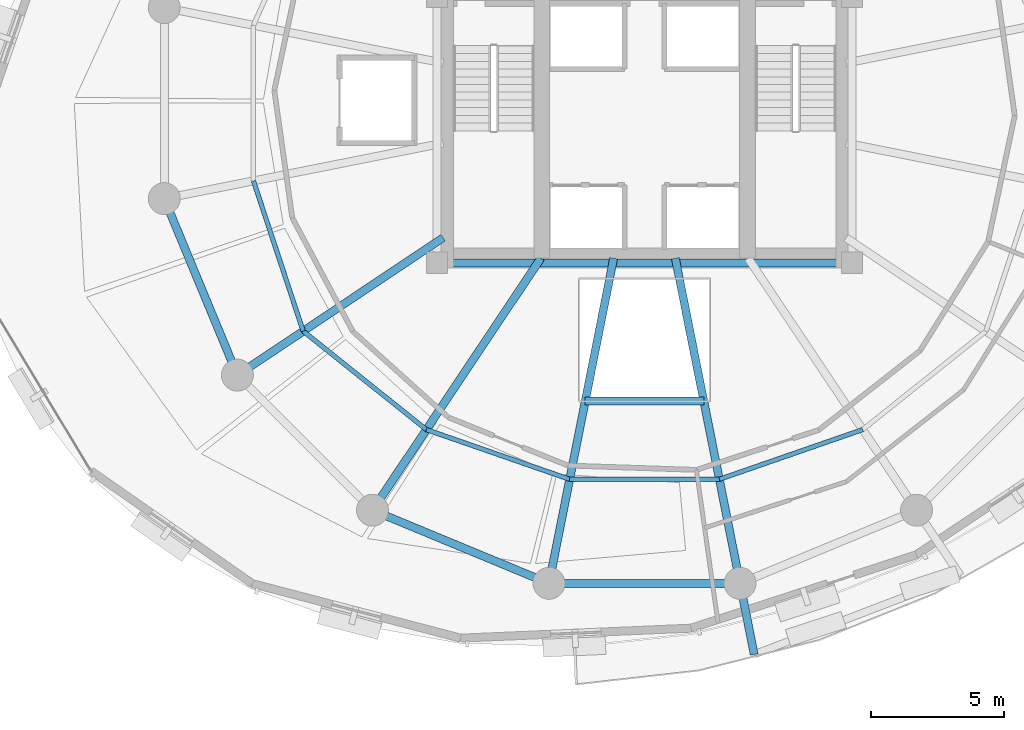
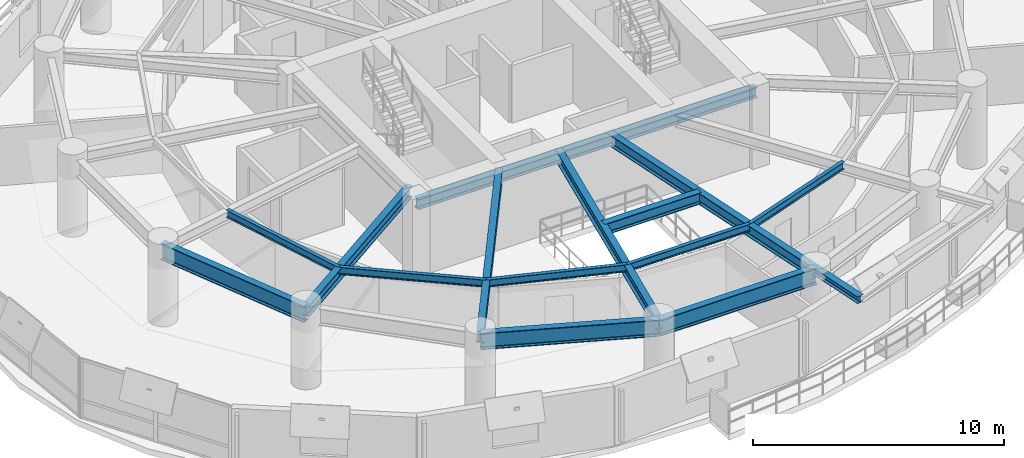
# One storey, part 3 of 15: 15 beams.
"""IFC4 building model written with IfcOpenShell, lengths in metres."""

from ifc_helpers import new_model, si_unit, direction, frame, origin, origin_2d, place, context, subcontext, project, spatial, i_section, extrude, material, material_profile, profile_set, type_object, element, save


model = new_model("IFC4")

# Units and contexts
model_context = context("Model", 3, precision=1e-05, world=origin(), true_north=direction((0.0, 1.0)))
body_context = subcontext(model_context, "Body", "Model", "MODEL_VIEW")
ifc_project = project(units=[si_unit("LENGTHUNIT", "METRE"), si_unit("AREAUNIT", "SQUARE_METRE"), si_unit("VOLUMEUNIT", "CUBIC_METRE"), si_unit("PLANEANGLEUNIT", "RADIAN"), si_unit("MASSUNIT", "GRAM", prefix="KILO"), si_unit("THERMODYNAMICTEMPERATUREUNIT", "KELVIN"), si_unit("POWERUNIT", "WATT")], contexts=[model_context])

# Site, building, storey
site_placement = place(None, origin())
site = spatial("IfcSite", under=ifc_project, at=site_placement, CompositionType="ELEMENT")
building_placement = place(site_placement, origin())
building = spatial("IfcBuilding", under=site, at=building_placement, Name="Ocrelia Relay Tower", CompositionType="ELEMENT")
storey_placement = place(building_placement, frame((0.0, 0.0, 109.800048828125)))
storey = spatial("IfcBuildingStorey", under=building, at=storey_placement, Name="L25", CompositionType="ELEMENT", Elevation=109.800048828125)

# Beams
ifc_material = material(Name="Steel S355", Category="steel")
ifc_material_profile_1 = material_profile(ifc_material, i_section(OverallWidth=0.300048828125, OverallDepth=0.330078125, WebThickness=0.009521484375, FlangeThickness=0.0166015625, FilletRadius=0.027099609375, at=origin_2d()), Name="HEA 340")
ifc_profile_set_1 = profile_set([ifc_material_profile_1], Name="Steel S355")
beam_type_1 = type_object("IfcBeamType", Name="BM-HEA340", PredefinedType="BEAM", material=ifc_profile_set_1)
beam_1_placement = place(storey_placement, frame((37.589599609375, 7.95361328125, 3.554931640625), z_axis=(0.195133957633, -0.98077659973, 0.0), x_axis=(0.98077659973, 0.195133957633, 0.0)))
element("IfcBeam", 1, at=beam_1_placement, inside=storey, type_object=beam_type_1, Name="L26 Balcony Cantilever Beam B2-1", PredefinedType="BEAM", context=body_context, shape_type="SweptSolid", body=[
    extrude(i_section(OverallWidth=0.300048828125, OverallDepth=0.330078125, WebThickness=0.009521484375, FlangeThickness=0.0166015625, FilletRadius=0.027099609375, at=origin_2d()), origin(), (0.0, 0.0, 1.0), 2.72509765625),
])
ifc_material_profile_2 = material_profile(ifc_material, i_section(OverallWidth=0.300048828125, OverallDepth=0.5, WebThickness=0.014404296875, FlangeThickness=0.028076171875, FilletRadius=0.027099609375, at=origin_2d()), Name="HEB 500")
ifc_profile_set_2 = profile_set([ifc_material_profile_2], Name="Steel S355")
beam_type_2 = type_object("IfcBeamType", Name="BM-HEB500", PredefinedType="BEAM", material=ifc_profile_set_2)
beam_2_placement = place(storey_placement, frame((26.199951171875, 20.0, 3.469970703125), z_axis=(1.0, 0.0, 0.0), x_axis=(0.0, 1.0, 0.0)))
element("IfcBeam", 2, at=beam_2_placement, inside=storey, type_object=beam_type_2, Name="L25 Core Pilaster Tie Beam S", PredefinedType="BEAM", context=body_context, shape_type="SweptSolid", body=[
    extrude(i_section(OverallWidth=0.300048828125, OverallDepth=0.5, WebThickness=0.014404296875, FlangeThickness=0.028076171875, FilletRadius=0.027099609375, at=origin_2d()), origin(), (0.0, 0.0, 1.0), 15.60009765625),
])
ifc_material_profile_3 = material_profile(ifc_material, i_section(OverallWidth=0.300048828125, OverallDepth=0.550048828125, WebThickness=0.014892578125, FlangeThickness=0.029052734375, FilletRadius=0.027099609375, at=origin_2d()), Name="HEB 550")
ifc_profile_set_3 = profile_set([ifc_material_profile_3], Name="Steel S355")
beam_type_3 = type_object("IfcBeamType", Name="BM-HEB550", PredefinedType="BEAM", material=ifc_profile_set_3)
beam_3_placement = place(storey_placement, frame((18.700927734375, 15.777587890625, 3.445068359375), z_axis=(0.831472030531, 0.555566613868, 0.0), x_axis=(-0.555566613868, 0.831472030531, 0.0)))
element("IfcBeam", 3, at=beam_3_placement, inside=storey, type_object=beam_type_3, Name="L25 Radial Floor Girder R10", PredefinedType="BEAM", context=body_context, shape_type="SweptSolid", body=[
    extrude(i_section(OverallWidth=0.300048828125, OverallDepth=0.550048828125, WebThickness=0.014892578125, FlangeThickness=0.029052734375, FilletRadius=0.027099609375, at=origin_2d()), origin(), (0.0, 0.0, 1.0), 9.295654296875),
])
beam_4_placement = place(storey_placement, frame((23.777587890625, 10.700927734375, 3.445068359375), z_axis=(0.555565661158, 0.831472667105, 0.0), x_axis=(-0.831472667105, 0.555565661158, 0.0)))
element("IfcBeam", 4, at=beam_4_placement, inside=storey, type_object=beam_type_3, Name="L25 Radial Floor Girder R11", PredefinedType="BEAM", context=body_context, shape_type="SweptSolid", body=[
    extrude(i_section(OverallWidth=0.300048828125, OverallDepth=0.550048828125, WebThickness=0.014892578125, FlangeThickness=0.029052734375, FilletRadius=0.027099609375, at=origin_2d()), origin(), (0.0, 0.0, 1.0), 11.38818359375),
])
for number, where, z_axis, x_axis, name in (
    (5, (30.410400390625, 7.95361328125, 3.445068359375), (0.195086983979, 0.980785944374, 0.0), (-0.980785944374, 0.195086983979, 0.0), "L25 Radial Floor Girder R12"),
    (6, (37.589599609375, 7.95361328125, 3.445068359375), (-0.195086983979, 0.980785944374, 0.0), (-0.980785944374, -0.195086983979, 0.0), "L25 Radial Floor Girder R13"),
):
    element("IfcBeam", number, at=place(storey_placement, frame(where, z_axis=z_axis, x_axis=x_axis)), inside=storey, type_object=beam_type_3, Name=name, PredefinedType="BEAM", context=body_context, shape_type="SweptSolid", body=[
        extrude(i_section(OverallWidth=0.300048828125, OverallDepth=0.550048828125, WebThickness=0.014892578125, FlangeThickness=0.029052734375, FilletRadius=0.027099609375, at=origin_2d()), origin(), (0.0, 0.0, 1.0), 12.45556640625),
    ])
beam_5_placement = place(storey_placement, frame((31.772216796875, 14.800048828125, 3.445068359375), z_axis=(1.0, 0.0, 0.0), x_axis=(0.0, 1.0, 0.0)))
element("IfcBeam", 7, at=beam_5_placement, inside=storey, type_object=beam_type_3, Name="L25 Atrium South Trimmer Beam", PredefinedType="BEAM", context=body_context, shape_type="SweptSolid", body=[
    extrude(i_section(OverallWidth=0.300048828125, OverallDepth=0.550048828125, WebThickness=0.014892578125, FlangeThickness=0.029052734375, FilletRadius=0.027099609375, at=origin_2d()), origin(), (0.0, 0.0, 1.0), 4.45556640625),
])
ifc_material_profile_4 = material_profile(ifc_material, i_section(OverallWidth=0.300048828125, OverallDepth=0.800048828125, WebThickness=0.017578125, FlangeThickness=0.032958984375, FilletRadius=0.030029296875, at=origin_2d()), Name="HEB 800")
ifc_profile_set_4 = profile_set([ifc_material_profile_4], Name="Steel S355")
beam_type_4 = type_object("IfcBeamType", Name="BM-HEB800", PredefinedType="BEAM", material=ifc_profile_set_4)
for number, where, z_axis, x_axis, name in (
    (8, (15.95361328125, 22.410400390625, 3.320068359375), (0.382673155247, -0.923883789366, 0.0), (0.923883789366, 0.382673155247, 0.0), "L25 Perimeter Spandrel Beam S09"),
    (9, (23.777587890625, 10.700927734375, 3.320068359375), (0.923883789366, -0.382673155247, 0.0), (0.382673155247, 0.923883789366, 0.0), "L25 Perimeter Spandrel Beam S11"),
    (10, (30.410400390625, 7.95361328125, 3.320068359375), (1.0, 0.0, 0.0), (0.0, 1.0, 0.0), "L25 Perimeter Spandrel Beam S12"),
):
    element("IfcBeam", number, at=place(storey_placement, frame(where, z_axis=z_axis, x_axis=x_axis)), inside=storey, type_object=beam_type_4, Name=name, PredefinedType="BEAM", context=body_context, shape_type="SweptSolid", body=[
        extrude(i_section(OverallWidth=0.300048828125, OverallDepth=0.800048828125, WebThickness=0.017578125, FlangeThickness=0.032958984375, FilletRadius=0.030029296875, at=origin_2d()), origin(), (0.0, 0.0, 1.0), 7.17919921875),
    ])
ifc_material_profile_5 = material_profile(ifc_material, i_section(OverallWidth=0.169921875, OverallDepth=0.360107421875, WebThickness=0.008056640625, FlangeThickness=0.0126953125, FilletRadius=0.01806640625, at=origin_2d()), Name="IPE 360")
ifc_profile_set_5 = profile_set([ifc_material_profile_5], Name="Steel S355")
beam_type_5 = type_object("IfcBeamType", Name="BM-IPE360", PredefinedType="JOIST", material=ifc_profile_set_5)
beam_6_placement = place(storey_placement, frame((19.305908203125, 23.0771484375, 3.5400390625), z_axis=(0.314121352003, -0.949382839647, 0.0), x_axis=(0.949382839647, 0.314121352003, 0.0)))
element("IfcBeam", 11, at=beam_6_placement, inside=storey, type_object=beam_type_5, Name="L25 Secondary Floor Joist J09", PredefinedType="JOIST", context=body_context, shape_type="SweptSolid", body=[
    extrude(i_section(OverallWidth=0.169921875, OverallDepth=0.360107421875, WebThickness=0.008056640625, FlangeThickness=0.0126953125, FilletRadius=0.01806640625, at=origin_2d()), origin(), (0.0, 0.0, 1.0), 5.947998046875),
])
beam_7_placement = place(storey_placement, frame((21.17431640625, 17.43017578125, 3.5400390625), z_axis=(0.781130070991, -0.62436833055, 0.0), x_axis=(0.62436833055, 0.781130070991, 0.0)))
element("IfcBeam", 12, at=beam_7_placement, inside=storey, type_object=beam_type_5, Name="L25 Secondary Floor Joist J10", PredefinedType="JOIST", context=body_context, shape_type="SweptSolid", body=[
    extrude(i_section(OverallWidth=0.169921875, OverallDepth=0.360107421875, WebThickness=0.008056640625, FlangeThickness=0.0126953125, FilletRadius=0.01806640625, at=origin_2d()), origin(), (0.0, 0.0, 1.0), 5.92431640625),
])
beam_8_placement = place(storey_placement, frame((25.802001953125, 13.731201171875, 3.5400390625), z_axis=(0.944767437111, -0.327741498401, 0.0), x_axis=(0.327741498401, 0.944767437111, 0.0)))
element("IfcBeam", 13, at=beam_8_placement, inside=storey, type_object=beam_type_5, Name="L25 Secondary Floor Joist J11", PredefinedType="JOIST", context=body_context, shape_type="SweptSolid", body=[
    extrude(i_section(OverallWidth=0.169921875, OverallDepth=0.360107421875, WebThickness=0.008056640625, FlangeThickness=0.0126953125, FilletRadius=0.01806640625, at=origin_2d()), origin(), (0.0, 0.0, 1.0), 5.700927734375),
])
beam_9_placement = place(storey_placement, frame((31.18798828125, 11.86279296875, 3.5400390625), z_axis=(1.0, 0.0, 0.0), x_axis=(0.0, 1.0, 0.0)))
element("IfcBeam", 14, at=beam_9_placement, inside=storey, type_object=beam_type_5, Name="L25 Secondary Floor Joist J12", PredefinedType="JOIST", context=body_context, shape_type="SweptSolid", body=[
    extrude(i_section(OverallWidth=0.169921875, OverallDepth=0.360107421875, WebThickness=0.008056640625, FlangeThickness=0.0126953125, FilletRadius=0.01806640625, at=origin_2d()), origin(), (0.0, 0.0, 1.0), 5.6240234375),
])
beam_10_placement = place(storey_placement, frame((36.81201171875, 11.86279296875, 3.5400390625), z_axis=(0.944767437111, 0.327741498401, 0.0), x_axis=(-0.327741498401, 0.944767437111, 0.0)))
element("IfcBeam", 15, at=beam_10_placement, inside=storey, type_object=beam_type_5, Name="L25 Secondary Floor Joist J13", PredefinedType="JOIST", context=body_context, shape_type="SweptSolid", body=[
    extrude(i_section(OverallWidth=0.169921875, OverallDepth=0.360107421875, WebThickness=0.008056640625, FlangeThickness=0.0126953125, FilletRadius=0.01806640625, at=origin_2d()), origin(), (0.0, 0.0, 1.0), 5.700927734375),
])

save(model, "model.ifc")
